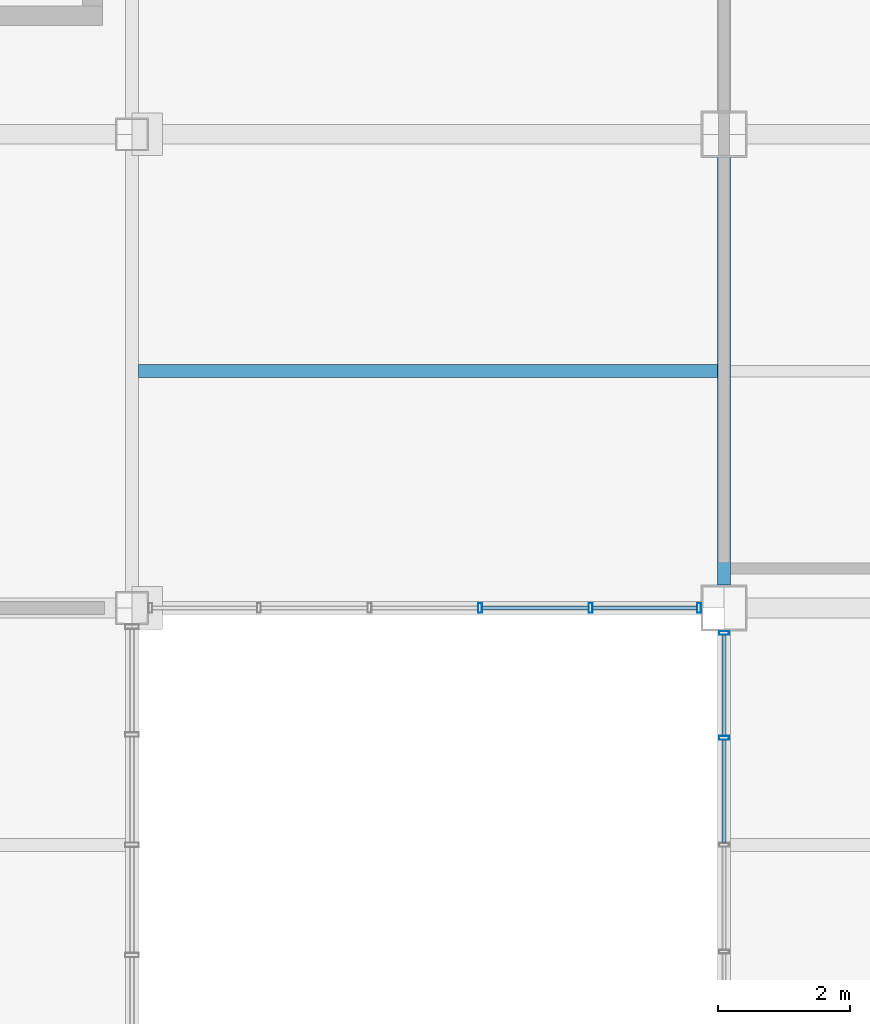
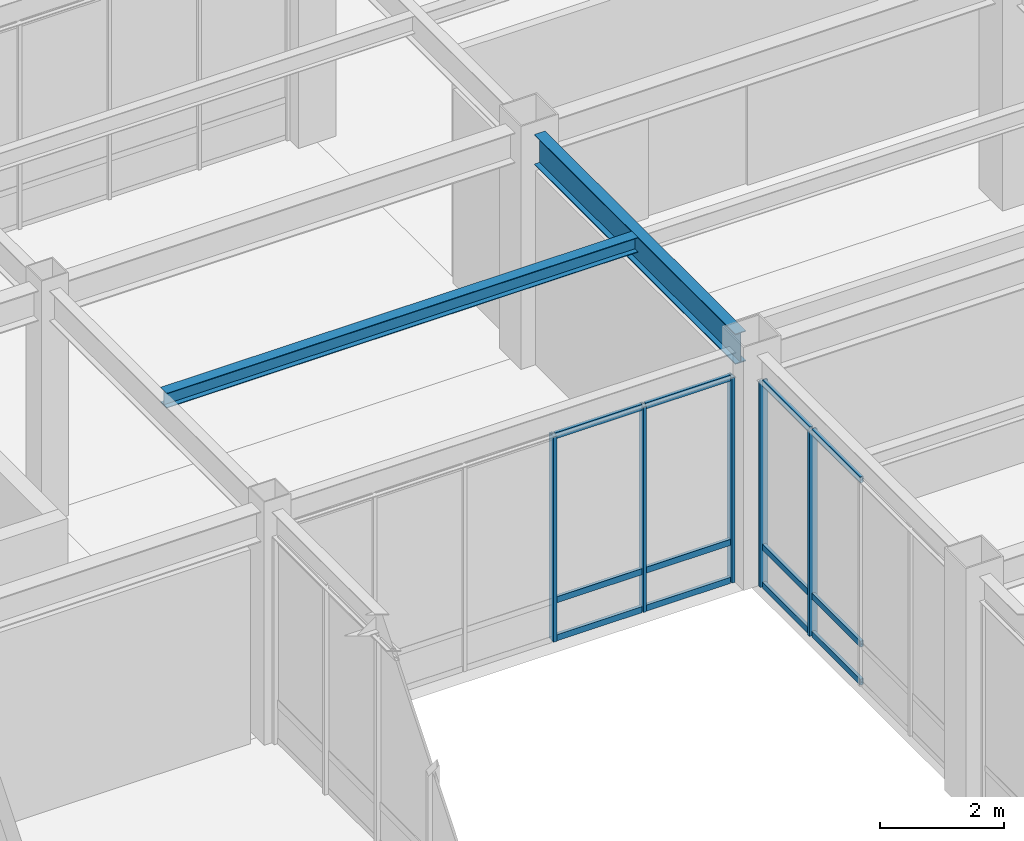
# One storey, part 64 of 112: 17 members, 2 beams, 2 elements without a shape of their own.
"""IFC4 building model written with IfcOpenShell, lengths in metres."""

from ifc_helpers import new_model, si_unit, direction, frame, origin, origin_2d, place, context, subcontext, project, spatial, hollow_rectangle, i_section, extrude, material, material_profile, profile_set, type_object, element, aggregate, save


model = new_model("IFC4")

# Units and contexts
model_context = context("Model", 3, precision=1e-05, world=origin(), true_north=direction((0.0, 1.0)))
body_context = subcontext(model_context, "Body", "Model", "MODEL_VIEW")
ifc_project = project(units=[si_unit("LENGTHUNIT", "METRE"), si_unit("AREAUNIT", "SQUARE_METRE"), si_unit("VOLUMEUNIT", "CUBIC_METRE"), si_unit("PLANEANGLEUNIT", "RADIAN"), si_unit("MASSUNIT", "GRAM", prefix="KILO")], contexts=[model_context])

# Site, building, storey
site_placement = place(None, origin())
site = spatial("IfcSite", under=ifc_project, at=site_placement, CompositionType="ELEMENT")
building_placement = place(site_placement, origin())
building = spatial("IfcBuilding", under=site, at=building_placement, Name="Kazanami Central Library", CompositionType="ELEMENT")
storey_placement = place(building_placement, origin())
storey = spatial("IfcBuildingStorey", under=building, at=storey_placement, Name="L01", CompositionType="ELEMENT", Elevation=0.0)

# Beams
ifc_material_1 = material(Name="Steel SN400B (235 MPa)", Category="steel")
ifc_material_profile_1 = material_profile(ifc_material_1, i_section(OverallWidth=0.199951171875, OverallDepth=0.2939453125, WebThickness=0.008056640625, FlangeThickness=0.011962890625, at=origin_2d()), Name="H-294x200x8x12")
ifc_profile_set_1 = profile_set([ifc_material_profile_1], Name="Steel SN400B (235 MPa)")
beam_type_1 = type_object("IfcBeamType", Name="BM-B-S5", PredefinedType="JOIST", material=ifc_profile_set_1)
beam_1_placement = place(storey_placement, frame((108.097900390625, 68.39990234375, 4.407958984375), z_axis=(1.0, 0.0, 0.0), x_axis=(0.0, 1.0, 0.0)))
element("IfcBeam", 1, at=beam_1_placement, inside=storey, type_object=beam_type_1, Name="Composite Secondary Joist B-S5 L01 Bay 13/K.1", PredefinedType="JOIST", context=body_context, shape_type="SweptSolid", body=[
    extrude(i_section(OverallWidth=0.199951171875, OverallDepth=0.2939453125, WebThickness=0.008056640625, FlangeThickness=0.011962890625, at=origin_2d()), origin(), (0.0, 0.0, 1.0), 8.80419921875),
])
ifc_material_2 = material(Name="Steel SN490B (325 MPa)", Category="steel")
ifc_material_profile_2 = material_profile(ifc_material_2, i_section(OverallWidth=0.199951171875, OverallDepth=0.60009765625, WebThickness=0.010986328125, FlangeThickness=0.01708984375, at=origin_2d()), Name="H-600x200x11x17")
ifc_profile_set_2 = profile_set([ifc_material_profile_2], Name="Steel SN490B (325 MPa)")
beam_type_2 = type_object("IfcBeamType", Name="BM-G-Y1", PredefinedType="BEAM", material=ifc_profile_set_2)
beam_2_placement = place(storey_placement, frame((117.0, 65.14794921875, 4.2548828125), z_axis=(0.0, 1.0, 0.0), x_axis=(-1.0, 0.0, 0.0)))
element("IfcBeam", 2, at=beam_2_placement, inside=storey, type_object=beam_type_2, Name="Girder G-Y1 L01 14/K-L", PredefinedType="BEAM", context=body_context, shape_type="SweptSolid", body=[
    extrude(i_section(OverallWidth=0.199951171875, OverallDepth=0.60009765625, WebThickness=0.010986328125, FlangeThickness=0.01708984375, at=origin_2d()), origin(), (0.0, 0.0, 1.0), 6.504150390625),
])

# Curtain wall, members
ifc_material_3 = material(Name="Acid-Etched Low-E Laminated Glass", Category="glass")
curtain_wall_type_1 = type_object("IfcCurtainWallType", Name="CW-8400x4055-M180", PredefinedType="USERDEFINED", material=ifc_material_3)
curtain_wall_1_placement = place(storey_placement, origin())
curtain_wall_1 = element("IfcCurtainWall", 3, at=curtain_wall_1_placement, inside=storey, type_object=curtain_wall_type_1, Name="Covered Link Bridge Curtain Wall CW-06 L01 S-K-12", ObjectType="UNITISED CURTAIN WALL", PredefinedType="USERDEFINED")
ifc_material_4 = material(Name="Anodised Aluminium A6063-T5", Category="aluminium")
ifc_material_profile_3 = material_profile(ifc_material_4, hollow_rectangle(XDim=0.06005859375, YDim=0.14990234375, WallThickness=0.00390625, at=origin_2d()), Name="ALU-MULL-60x150x4")
ifc_profile_set_3 = profile_set([ifc_material_profile_3], Name="Anodised Aluminium A6063-T5")
member_type_1 = type_object("IfcMemberType", Name="MEM-CW-M3", PredefinedType="MULLION", material=ifc_profile_set_3)
member_1_placement = place(storey_placement, frame((113.2900390625, 64.800048828125, 0.0), z_axis=(0.0, 0.0, 1.0), x_axis=(1.0, 0.0, 0.0)))
member_1 = element("IfcMember", 4, at=member_1_placement, type_object=member_type_1, Name="CW-06 mullion 4", PredefinedType="MULLION", context=body_context, shape_type="SweptSolid", body=[
    extrude(hollow_rectangle(XDim=0.06005859375, YDim=0.14990234375, WallThickness=0.00390625, at=origin_2d()), origin(), (0.0, 0.0, 1.0), 4.054931640625),
])
member_2_placement = place(storey_placement, frame((114.969970703125, 64.800048828125, 0.0), z_axis=(0.0, 0.0, 1.0), x_axis=(1.0, 0.0, 0.0)))
member_2 = element("IfcMember", 5, at=member_2_placement, type_object=member_type_1, Name="CW-06 mullion 5", PredefinedType="MULLION", context=body_context, shape_type="SweptSolid", body=[
    extrude(hollow_rectangle(XDim=0.06005859375, YDim=0.14990234375, WallThickness=0.00390625, at=origin_2d()), origin(), (0.0, 0.0, 1.0), 4.054931640625),
])
member_3_placement = place(storey_placement, frame((116.6201171875, 64.800048828125, 0.0), z_axis=(0.0, 0.0, 1.0), x_axis=(1.0, 0.0, 0.0)))
member_3 = element("IfcMember", 6, at=member_3_placement, type_object=member_type_1, Name="CW-06 mullion 6", PredefinedType="MULLION", context=body_context, shape_type="SweptSolid", body=[
    extrude(hollow_rectangle(XDim=0.06005859375, YDim=0.14990234375, WallThickness=0.00390625, at=origin_2d()), origin(), (0.0, 0.0, 1.0), 4.054931640625),
])

curtain_wall_type_2 = type_object("IfcCurtainWallType", Name="CW-6500x4055-M180", PredefinedType="USERDEFINED", material=ifc_material_3)
curtain_wall_2_placement = place(storey_placement, origin())
curtain_wall_2 = element("IfcCurtainWall", 7, at=curtain_wall_2_placement, inside=storey, type_object=curtain_wall_type_2, Name="Covered Link Bridge Curtain Wall CW-11 L01 W-14-08", ObjectType="UNITISED CURTAIN WALL", PredefinedType="USERDEFINED")
member_4_placement = place(storey_placement, frame((117.0, 62.824951171875, 0.0), z_axis=(0.0, 0.0, 1.0), x_axis=(0.0, 1.0, 0.0)))
member_4 = element("IfcMember", 8, at=member_4_placement, type_object=member_type_1, Name="CW-11 mullion 4", PredefinedType="MULLION", context=body_context, shape_type="SweptSolid", body=[
    extrude(hollow_rectangle(XDim=0.06005859375, YDim=0.14990234375, WallThickness=0.00390625, at=origin_2d()), origin(), (0.0, 0.0, 1.0), 4.054931640625),
])
member_5_placement = place(storey_placement, frame((117.0, 64.419921875, 0.0), z_axis=(0.0, 0.0, 1.0), x_axis=(0.0, 1.0, 0.0)))
member_5 = element("IfcMember", 9, at=member_5_placement, type_object=member_type_1, Name="CW-11 mullion 5", PredefinedType="MULLION", context=body_context, shape_type="SweptSolid", body=[
    extrude(hollow_rectangle(XDim=0.06005859375, YDim=0.14990234375, WallThickness=0.00390625, at=origin_2d()), origin(), (0.0, 0.0, 1.0), 4.054931640625),
])

# Member
ifc_material_profile_4 = material_profile(ifc_material_4, hollow_rectangle(XDim=0.06005859375, YDim=0.1201171875, WallThickness=0.00341796875, at=origin_2d()), Name="ALU-TRAN-60x120x3.5")
ifc_profile_set_4 = profile_set([ifc_material_profile_4], Name="Anodised Aluminium A6063-T5")
member_type_2 = type_object("IfcMemberType", Name="MEM-CW-T3", PredefinedType="USERDEFINED", material=ifc_profile_set_4)
member_6_placement = place(storey_placement, frame((113.320068359375, 64.800048828125, 0.030029296875), z_axis=(1.0, 0.0, 0.0), x_axis=(0.0, 1.0, 0.0)))
member_6 = element("IfcMember", 10, at=member_6_placement, type_object=member_type_2, Name="CW-06 transom 4.1", ObjectType="TRANSOM", PredefinedType="USERDEFINED", context=body_context, shape_type="SweptSolid", body=[
    extrude(hollow_rectangle(XDim=0.06005859375, YDim=0.1201171875, WallThickness=0.00341796875, at=origin_2d()), origin(), (0.0, 0.0, 1.0), 1.619873046875),
])

member_7_placement = place(storey_placement, frame((113.320068359375, 64.800048828125, 0.780029296875), z_axis=(1.0, 0.0, 0.0), x_axis=(0.0, 1.0, 0.0)))
member_7 = element("IfcMember", 11, at=member_7_placement, type_object=member_type_2, Name="CW-06 transom 4.2", ObjectType="TRANSOM", PredefinedType="USERDEFINED", context=body_context, shape_type="SweptSolid", body=[
    extrude(hollow_rectangle(XDim=0.06005859375, YDim=0.1201171875, WallThickness=0.00341796875, at=origin_2d()), origin(), (0.0, 0.0, 1.0), 1.619873046875),
])

member_8_placement = place(storey_placement, frame((113.320068359375, 64.800048828125, 4.02490234375), z_axis=(1.0, 0.0, 0.0), x_axis=(0.0, 1.0, 0.0)))
member_8 = element("IfcMember", 12, at=member_8_placement, type_object=member_type_2, Name="CW-06 transom 4.3", ObjectType="TRANSOM", PredefinedType="USERDEFINED", context=body_context, shape_type="SweptSolid", body=[
    extrude(hollow_rectangle(XDim=0.06005859375, YDim=0.1201171875, WallThickness=0.00341796875, at=origin_2d()), origin(), (0.0, 0.0, 1.0), 1.619873046875),
])

member_9_placement = place(storey_placement, frame((115.0, 64.800048828125, 0.030029296875), z_axis=(1.0, 0.0, 0.0), x_axis=(0.0, 1.0, 0.0)))
member_9 = element("IfcMember", 13, at=member_9_placement, type_object=member_type_2, Name="CW-06 transom 5.1", ObjectType="TRANSOM", PredefinedType="USERDEFINED", context=body_context, shape_type="SweptSolid", body=[
    extrude(hollow_rectangle(XDim=0.06005859375, YDim=0.1201171875, WallThickness=0.00341796875, at=origin_2d()), origin(), (0.0, 0.0, 1.0), 1.590087890625),
])

member_10_placement = place(storey_placement, frame((115.0, 64.800048828125, 0.780029296875), z_axis=(1.0, 0.0, 0.0), x_axis=(0.0, 1.0, 0.0)))
member_10 = element("IfcMember", 14, at=member_10_placement, type_object=member_type_2, Name="CW-06 transom 5.2", ObjectType="TRANSOM", PredefinedType="USERDEFINED", context=body_context, shape_type="SweptSolid", body=[
    extrude(hollow_rectangle(XDim=0.06005859375, YDim=0.1201171875, WallThickness=0.00341796875, at=origin_2d()), origin(), (0.0, 0.0, 1.0), 1.590087890625),
])

member_11_placement = place(storey_placement, frame((115.0, 64.800048828125, 4.02490234375), z_axis=(1.0, 0.0, 0.0), x_axis=(0.0, 1.0, 0.0)))
member_11 = element("IfcMember", 15, at=member_11_placement, type_object=member_type_2, Name="CW-06 transom 5.3", ObjectType="TRANSOM", PredefinedType="USERDEFINED", context=body_context, shape_type="SweptSolid", body=[
    extrude(hollow_rectangle(XDim=0.06005859375, YDim=0.1201171875, WallThickness=0.00341796875, at=origin_2d()), origin(), (0.0, 0.0, 1.0), 1.590087890625),
])

aggregate(curtain_wall_1, [member_1, member_2, member_3, member_6, member_7, member_8, member_9, member_10, member_11])

member_12_placement = place(storey_placement, frame((117.0, 61.22998046875, 0.030029296875), z_axis=(0.0, 1.0, 0.0), x_axis=(-1.0, 0.0, 0.0)))
member_12 = element("IfcMember", 16, at=member_12_placement, type_object=member_type_2, Name="CW-11 transom 3.1", ObjectType="TRANSOM", PredefinedType="USERDEFINED", context=body_context, shape_type="SweptSolid", body=[
    extrude(hollow_rectangle(XDim=0.06005859375, YDim=0.1201171875, WallThickness=0.00341796875, at=origin_2d()), origin(), (0.0, 0.0, 1.0), 1.56494140625),
])

member_13_placement = place(storey_placement, frame((117.0, 61.22998046875, 0.780029296875), z_axis=(0.0, 1.0, 0.0), x_axis=(-1.0, 0.0, 0.0)))
member_13 = element("IfcMember", 17, at=member_13_placement, type_object=member_type_2, Name="CW-11 transom 3.2", ObjectType="TRANSOM", PredefinedType="USERDEFINED", context=body_context, shape_type="SweptSolid", body=[
    extrude(hollow_rectangle(XDim=0.06005859375, YDim=0.1201171875, WallThickness=0.00341796875, at=origin_2d()), origin(), (0.0, 0.0, 1.0), 1.56494140625),
])

member_14_placement = place(storey_placement, frame((117.0, 61.22998046875, 4.02490234375), z_axis=(0.0, 1.0, 0.0), x_axis=(-1.0, 0.0, 0.0)))
member_14 = element("IfcMember", 18, at=member_14_placement, type_object=member_type_2, Name="CW-11 transom 3.3", ObjectType="TRANSOM", PredefinedType="USERDEFINED", context=body_context, shape_type="SweptSolid", body=[
    extrude(hollow_rectangle(XDim=0.06005859375, YDim=0.1201171875, WallThickness=0.00341796875, at=origin_2d()), origin(), (0.0, 0.0, 1.0), 1.56494140625),
])

member_15_placement = place(storey_placement, frame((117.0, 62.85498046875, 0.030029296875), z_axis=(0.0, 1.0, 0.0), x_axis=(-1.0, 0.0, 0.0)))
member_15 = element("IfcMember", 19, at=member_15_placement, type_object=member_type_2, Name="CW-11 transom 4.1", ObjectType="TRANSOM", PredefinedType="USERDEFINED", context=body_context, shape_type="SweptSolid", body=[
    extrude(hollow_rectangle(XDim=0.06005859375, YDim=0.1201171875, WallThickness=0.00341796875, at=origin_2d()), origin(), (0.0, 0.0, 1.0), 1.534912109375),
])

member_16_placement = place(storey_placement, frame((117.0, 62.85498046875, 0.780029296875), z_axis=(0.0, 1.0, 0.0), x_axis=(-1.0, 0.0, 0.0)))
member_16 = element("IfcMember", 20, at=member_16_placement, type_object=member_type_2, Name="CW-11 transom 4.2", ObjectType="TRANSOM", PredefinedType="USERDEFINED", context=body_context, shape_type="SweptSolid", body=[
    extrude(hollow_rectangle(XDim=0.06005859375, YDim=0.1201171875, WallThickness=0.00341796875, at=origin_2d()), origin(), (0.0, 0.0, 1.0), 1.534912109375),
])

member_17_placement = place(storey_placement, frame((117.0, 62.85498046875, 4.02490234375), z_axis=(0.0, 1.0, 0.0), x_axis=(-1.0, 0.0, 0.0)))
member_17 = element("IfcMember", 21, at=member_17_placement, type_object=member_type_2, Name="CW-11 transom 4.3", ObjectType="TRANSOM", PredefinedType="USERDEFINED", context=body_context, shape_type="SweptSolid", body=[
    extrude(hollow_rectangle(XDim=0.06005859375, YDim=0.1201171875, WallThickness=0.00341796875, at=origin_2d()), origin(), (0.0, 0.0, 1.0), 1.534912109375),
])

aggregate(curtain_wall_2, [member_4, member_5, member_12, member_13, member_14, member_15, member_16, member_17])

save(model, "model.ifc")
